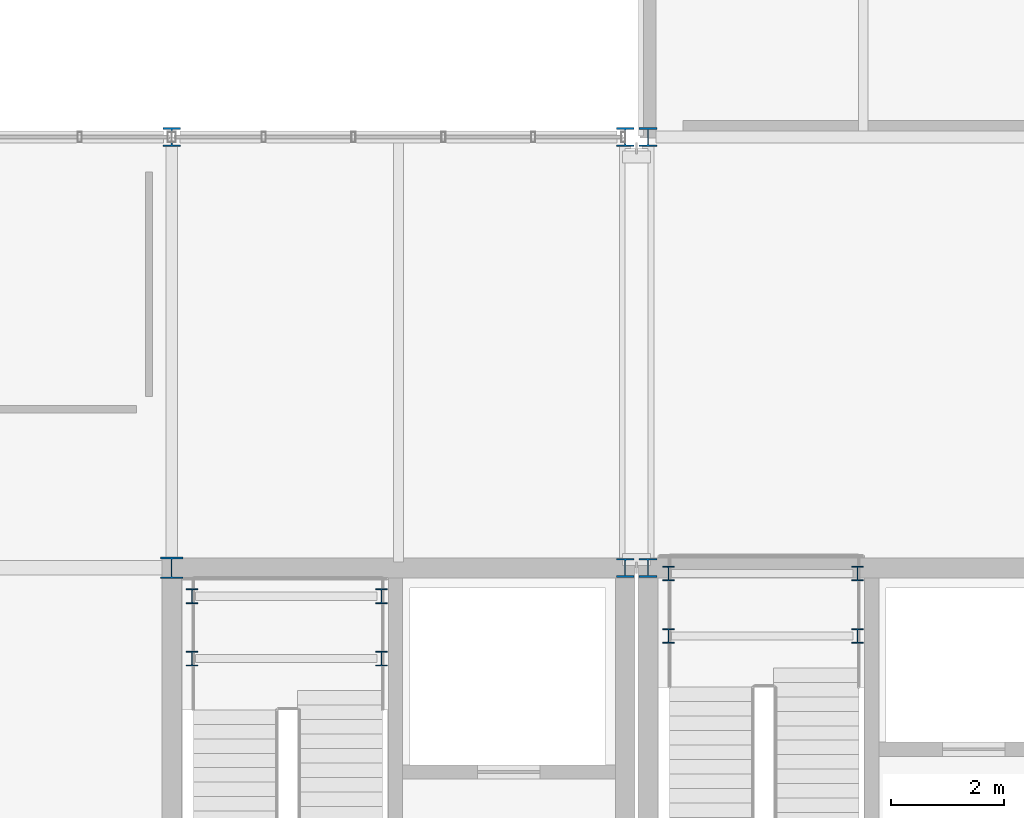
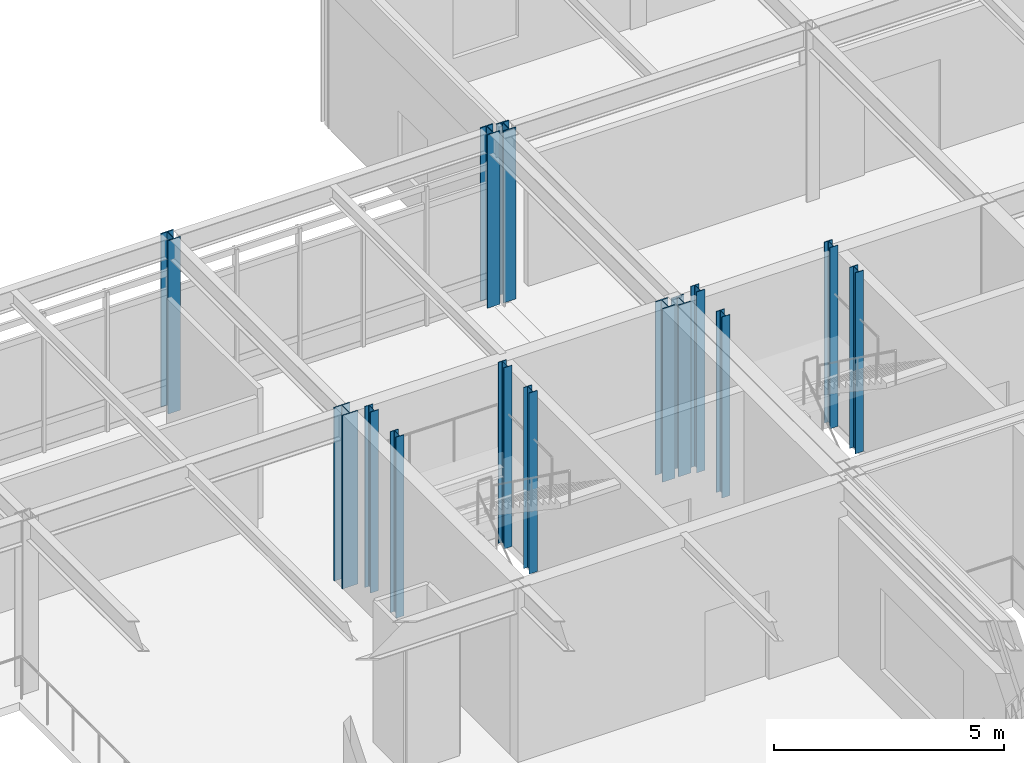
# One storey, part 12 of 104: 14 columns.
"""IFC4 building model written with IfcOpenShell, lengths in metres."""

from ifc_helpers import new_model, si_unit, direction, frame, origin, origin_2d, place, context, subcontext, project, spatial, i_section, extrude, material, material_profile, profile_set, type_object, element, save


model = new_model("IFC4")

# Units and contexts
model_context = context("Model", 3, precision=1e-05, world=origin(), true_north=direction((0.0, 1.0)))
body_context = subcontext(model_context, "Body", "Model", "MODEL_VIEW")
ifc_project = project(units=[si_unit("LENGTHUNIT", "METRE"), si_unit("AREAUNIT", "SQUARE_METRE"), si_unit("VOLUMEUNIT", "CUBIC_METRE"), si_unit("PLANEANGLEUNIT", "RADIAN"), si_unit("MASSUNIT", "GRAM", prefix="KILO")], contexts=[model_context])

# Site, building, storey
site_placement = place(None, origin())
site = spatial("IfcSite", under=ifc_project, at=site_placement, CompositionType="ELEMENT")
building_placement = place(site_placement, origin())
building = spatial("IfcBuilding", under=site, at=building_placement, Name="Zulena Civic Courthouse", CompositionType="ELEMENT")
storey_placement = place(building_placement, frame((0.0, 0.0, 15.60009765625)))
storey = spatial("IfcBuildingStorey", under=building, at=storey_placement, Name="L03", CompositionType="ELEMENT", Elevation=15.60009765625)

# Columns
ifc_material = material(Name="Steel ASTM A992 Grade 50", Category="steel")
ifc_material_profile_1 = material_profile(ifc_material, i_section(OverallWidth=0.2041015625, OverallDepth=0.257080078125, WebThickness=0.0087890625, FlangeThickness=0.015625, FilletRadius=0.0126953125, at=origin_2d()), Name="W10X45")
ifc_profile_set_1 = profile_set([ifc_material_profile_1], Name="Steel ASTM A992 Grade 50")
column_type_1 = type_object("IfcColumnType", Name="Col_W10X45", PredefinedType="COLUMN", material=ifc_profile_set_1)
for number, where, z_axis, x_axis, name in (
    (1, (124.760009765625, 36.800048828125, 0.0), (0.0, 0.0, 1.0), (1.0, 0.0, 0.0), "col:lnd:K3A:L03:0:0"),
    (2, (128.10009765625, 36.800048828125, 0.0), (0.0, 0.0, 1.0), (1.0, 0.0, 0.0), "col:lnd:K3A:L03:0:1"),
    (3, (124.760009765625, 37.89990234375, 0.0), (0.0, 0.0, 1.0), (1.0, 0.0, 0.0), "col:lnd:K3A:L03:1:0"),
    (4, (128.10009765625, 37.89990234375, 0.0), (0.0, 0.0, 1.0), (1.0, 0.0, 0.0), "col:lnd:K3A:L03:1:1"),
    (5, (116.360107421875, 36.39990234375, 0.0), (0.0, 0.0, 1.0), (1.0, 0.0, 0.0), "col:lnd:K4B:L03:0:0"),
    (6, (119.699951171875, 36.39990234375, 0.0), (0.0, 0.0, 1.0), (1.0, 0.0, 0.0), "col:lnd:K4B:L03:0:1"),
    (7, (116.360107421875, 37.5, 0.0), (0.0, 0.0, 1.0), (1.0, 0.0, 0.0), "col:lnd:K4B:L03:1:0"),
    (8, (119.699951171875, 37.5, 0.0), (0.0, 0.0, 1.0), (1.0, 0.0, 0.0), "col:lnd:K4B:L03:1:1"),
):
    element("IfcColumn", number, at=place(storey_placement, frame(where, z_axis=z_axis, x_axis=x_axis)), inside=storey, type_object=column_type_1, Name=name, PredefinedType="COLUMN", context=body_context, shape_type="SweptSolid", body=[
        extrude(i_section(OverallWidth=0.2041015625, OverallDepth=0.257080078125, WebThickness=0.0087890625, FlangeThickness=0.015625, FilletRadius=0.0126953125, at=origin_2d()), origin(), (0.0, 0.0, 1.0), 4.794921875),
    ])
ifc_material_profile_2 = material_profile(ifc_material, i_section(OverallWidth=0.31298828125, OverallDepth=0.3330078125, WebThickness=0.01806640625, FlangeThickness=0.0283203125, FilletRadius=0.01513671875, at=origin_2d()), Name="W12X120")
ifc_profile_set_2 = profile_set([ifc_material_profile_2], Name="Steel ASTM A992 Grade 50")
column_type_2 = type_object("IfcColumnType", Name="Col_W12X120", PredefinedType="COLUMN", material=ifc_profile_set_2)
for number, where, z_axis, x_axis, name in (
    (9, (124.39990234375, 38.0, 0.0), (0.0, 0.0, 1.0), (1.0, 0.0, 0.0), "col:V3:L03:124.4:38.0"),
    (10, (124.39990234375, 45.60009765625, 0.0), (0.0, 0.0, 1.0), (1.0, 0.0, 0.0), "col:V3:L03:124.4:45.6"),
):
    element("IfcColumn", number, at=place(storey_placement, frame(where, z_axis=z_axis, x_axis=x_axis)), inside=storey, type_object=column_type_2, Name=name, PredefinedType="COLUMN", context=body_context, shape_type="SweptSolid", body=[
        extrude(i_section(OverallWidth=0.31298828125, OverallDepth=0.3330078125, WebThickness=0.01806640625, FlangeThickness=0.0283203125, FilletRadius=0.01513671875, at=origin_2d()), origin(), (0.0, 0.0, 1.0), 4.544921875),
    ])
for number, where, z_axis, x_axis, name in (
    (11, (116.0, 45.60009765625, 0.0), (0.0, 0.0, 1.0), (1.0, 0.0, 0.0), "col:V4:L03:116.0:45.6"),
    (12, (124.0, 38.0, 0.0), (0.0, 0.0, 1.0), (1.0, 0.0, 0.0), "col:V4:L03:124.0:38.0"),
    (13, (124.0, 45.60009765625, 0.0), (0.0, 0.0, 1.0), (1.0, 0.0, 0.0), "col:V4:L03:124.0:45.6"),
):
    element("IfcColumn", number, at=place(storey_placement, frame(where, z_axis=z_axis, x_axis=x_axis)), inside=storey, type_object=column_type_2, Name=name, PredefinedType="COLUMN", context=body_context, shape_type="SweptSolid", body=[
        extrude(i_section(OverallWidth=0.31298828125, OverallDepth=0.3330078125, WebThickness=0.01806640625, FlangeThickness=0.0283203125, FilletRadius=0.01513671875, at=origin_2d()), origin(), (0.0, 0.0, 1.0), 4.58984375),
    ])
ifc_material_profile_3 = material_profile(ifc_material, i_section(OverallWidth=0.39404296875, OverallDepth=0.3759765625, WebThickness=0.017333984375, FlangeThickness=0.027587890625, FilletRadius=0.01513671875, at=origin_2d()), Name="W14X145")
ifc_profile_set_3 = profile_set([ifc_material_profile_3], Name="Steel ASTM A992 Grade 50")
column_type_3 = type_object("IfcColumnType", Name="Col_W14X145", PredefinedType="COLUMN", material=ifc_profile_set_3)
column_placement = place(storey_placement, frame((116.0, 38.0, 0.0), z_axis=(0.0, 0.0, 1.0), x_axis=(1.0, 0.0, 0.0)))
element("IfcColumn", 14, at=column_placement, inside=storey, type_object=column_type_3, Name="col:V4:L03:116.0:38.0", PredefinedType="COLUMN", context=body_context, shape_type="SweptSolid", body=[
    extrude(i_section(OverallWidth=0.39404296875, OverallDepth=0.3759765625, WebThickness=0.017333984375, FlangeThickness=0.027587890625, FilletRadius=0.01513671875, at=origin_2d()), origin(), (0.0, 0.0, 1.0), 4.58984375),
])

save(model, "model.ifc")
